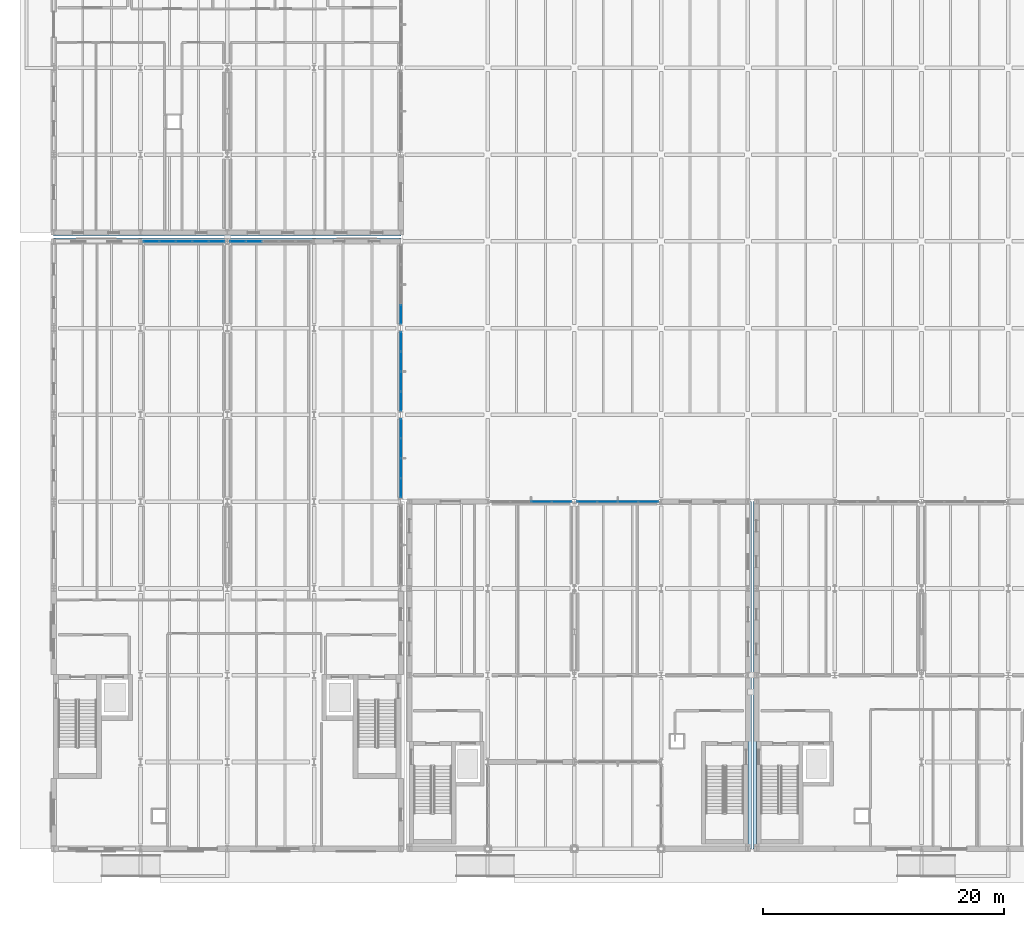
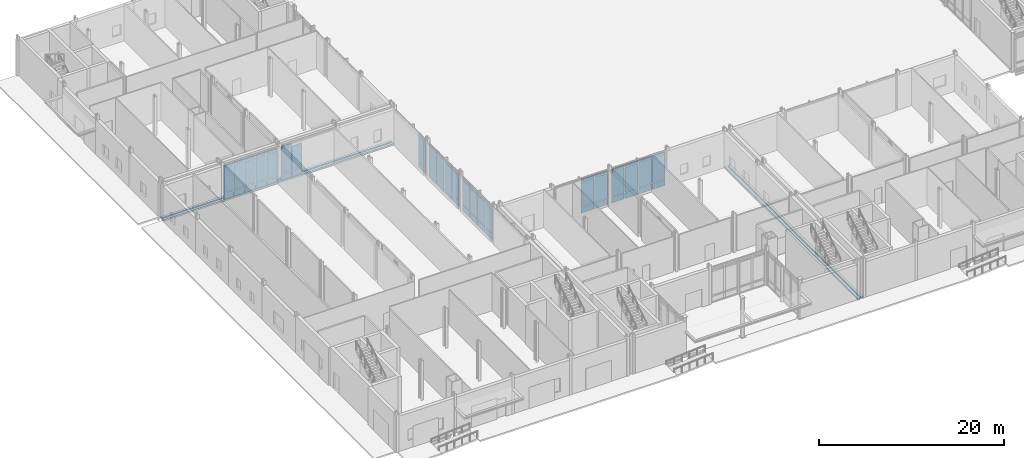
# One storey, part 41 of 89: 65 plates, 4 slabs, 7 elements without a shape of their own.
"""IFC4 building model written with IfcOpenShell, lengths in metres."""

from ifc_helpers import new_model, si_unit, direction, frame, origin, origin_2d, place, context, subcontext, project, spatial, polyline, rectangle, outline, extrude, material, layer, layer_set, type_object, element, aggregate, save


model = new_model("IFC4")

# Units and contexts
model_context = context("Model", 3, precision=1e-05, world=origin(), true_north=direction((0.0, 1.0)))
body_context = subcontext(model_context, "Body", "Model", "MODEL_VIEW")
ifc_project = project(units=[si_unit("LENGTHUNIT", "METRE"), si_unit("AREAUNIT", "SQUARE_METRE"), si_unit("VOLUMEUNIT", "CUBIC_METRE"), si_unit("PLANEANGLEUNIT", "RADIAN"), si_unit("MASSUNIT", "GRAM", prefix="KILO")], contexts=[model_context])

# Site, building, storey
site_placement = place(None, origin())
site = spatial("IfcSite", under=ifc_project, at=site_placement, CompositionType="ELEMENT")
building_placement = place(site_placement, origin())
building = spatial("IfcBuilding", under=site, at=building_placement, Name="Zarrinpeak Specialist Clinic", CompositionType="ELEMENT")
storey_placement = place(building_placement, origin())
storey = spatial("IfcBuildingStorey", under=building, at=storey_placement, Name="L00", CompositionType="ELEMENT", Elevation=0.0)

# Curtain wall, plates
ifc_material_1 = material(Name="Anodised Aluminium Alloy 6063-T6", Category="aluminium")
ifc_layer_1 = layer(ifc_material_1, 0.1650390625)
ifc_layer_set_1 = layer_set([ifc_layer_1], Name="Anodised Aluminium Alloy 6063-T6")
curtain_wall_type_1 = type_object("IfcCurtainWallType", Name="CW-CLINIC", PredefinedType="NOTDEFINED", material=ifc_layer_set_1)
curtain_wall_1_placement = place(storey_placement, origin())
curtain_wall_1 = element("IfcCurtainWall", 1, at=curtain_wall_1_placement, inside=storey, type_object=curtain_wall_type_1, Name="L00 V1 Unitised Curtain Wall CW-L00-V1-001", PredefinedType="NOTDEFINED")
ifc_material_2 = material(Name="Double Low-E Insulated Glazing", Category="glass")
ifc_layer_2 = layer(ifc_material_2, 0.028076171875)
ifc_layer_set_2 = layer_set([ifc_layer_2], Name="Double Low-E Insulated Glazing")
plate_type = type_object("IfcPlateType", Name="CWP-GLZ28", PredefinedType="CURTAIN_PANEL", material=ifc_layer_set_2)
plate_1_placement = place(storey_placement, frame((13.521240234375, 50.39990234375, 0.074951171875), z_axis=(0.0, 0.0, 1.0), x_axis=(-1.0, 0.0, 0.0)))
plate_1 = element("IfcPlate", 2, at=plate_1_placement, type_object=plate_type, Name="CW-03 panel 1.1", PredefinedType="CURTAIN_PANEL", context=body_context, shape_type="SweptSolid", body=[
    extrude(rectangle(XDim=1.257568359375, YDim=0.028076171875, at=origin_2d()), origin(), (0.0, 0.0, 1.0), 0.78759765625),
])
plate_2_placement = place(storey_placement, frame((13.521240234375, 50.39990234375, 0.9375), z_axis=(0.0, 0.0, 1.0), x_axis=(-1.0, 0.0, 0.0)))
plate_2 = element("IfcPlate", 3, at=plate_2_placement, type_object=plate_type, Name="CW-03 panel 1.2", PredefinedType="CURTAIN_PANEL", context=body_context, shape_type="SweptSolid", body=[
    extrude(rectangle(XDim=1.257568359375, YDim=0.028076171875, at=origin_2d()), origin(), (0.0, 0.0, 1.0), 3.239990234375),
])
plate_3_placement = place(storey_placement, frame((13.521240234375, 50.39990234375, 4.25244140625), z_axis=(0.0, 0.0, 1.0), x_axis=(-1.0, 0.0, 0.0)))
plate_3 = element("IfcPlate", 4, at=plate_3_placement, type_object=plate_type, Name="CW-03 panel 1.3", PredefinedType="CURTAIN_PANEL", context=body_context, shape_type="SweptSolid", body=[
    extrude(rectangle(XDim=1.257568359375, YDim=0.028076171875, at=origin_2d()), origin(), (0.0, 0.0, 1.0), 0.33740234375),
])
plate_4_placement = place(storey_placement, frame((12.169921875, 50.39990234375, 0.074951171875), z_axis=(0.0, 0.0, 1.0), x_axis=(-1.0, 0.0, 0.0)))
plate_4 = element("IfcPlate", 5, at=plate_4_placement, type_object=plate_type, Name="CW-03 panel 2.1", PredefinedType="CURTAIN_PANEL", context=body_context, shape_type="SweptSolid", body=[
    extrude(rectangle(XDim=1.294921875, YDim=0.028076171875, at=origin_2d()), origin(), (0.0, 0.0, 1.0), 0.78759765625),
])
plate_5_placement = place(storey_placement, frame((12.169921875, 50.39990234375, 0.9375), z_axis=(0.0, 0.0, 1.0), x_axis=(-1.0, 0.0, 0.0)))
plate_5 = element("IfcPlate", 6, at=plate_5_placement, type_object=plate_type, Name="CW-03 panel 2.2", PredefinedType="CURTAIN_PANEL", context=body_context, shape_type="SweptSolid", body=[
    extrude(rectangle(XDim=1.294921875, YDim=0.028076171875, at=origin_2d()), origin(), (0.0, 0.0, 1.0), 3.239990234375),
])
plate_6_placement = place(storey_placement, frame((12.169921875, 50.39990234375, 4.25244140625), z_axis=(0.0, 0.0, 1.0), x_axis=(-1.0, 0.0, 0.0)))
plate_6 = element("IfcPlate", 7, at=plate_6_placement, type_object=plate_type, Name="CW-03 panel 2.3", PredefinedType="CURTAIN_PANEL", context=body_context, shape_type="SweptSolid", body=[
    extrude(rectangle(XDim=1.294921875, YDim=0.028076171875, at=origin_2d()), origin(), (0.0, 0.0, 1.0), 0.33740234375),
])
plate_7_placement = place(storey_placement, frame((10.800048828125, 50.39990234375, 0.074951171875), z_axis=(0.0, 0.0, 1.0), x_axis=(-1.0, 0.0, 0.0)))
plate_7 = element("IfcPlate", 8, at=plate_7_placement, type_object=plate_type, Name="CW-03 panel 3.1", PredefinedType="CURTAIN_PANEL", context=body_context, shape_type="SweptSolid", body=[
    extrude(rectangle(XDim=1.294921875, YDim=0.028076171875, at=origin_2d()), origin(), (0.0, 0.0, 1.0), 0.78759765625),
])
plate_8_placement = place(storey_placement, frame((10.800048828125, 50.39990234375, 0.9375), z_axis=(0.0, 0.0, 1.0), x_axis=(-1.0, 0.0, 0.0)))
plate_8 = element("IfcPlate", 9, at=plate_8_placement, type_object=plate_type, Name="CW-03 panel 3.2", PredefinedType="CURTAIN_PANEL", context=body_context, shape_type="SweptSolid", body=[
    extrude(rectangle(XDim=1.294921875, YDim=0.028076171875, at=origin_2d()), origin(), (0.0, 0.0, 1.0), 3.239990234375),
])
plate_9_placement = place(storey_placement, frame((10.800048828125, 50.39990234375, 4.25244140625), z_axis=(0.0, 0.0, 1.0), x_axis=(-1.0, 0.0, 0.0)))
plate_9 = element("IfcPlate", 10, at=plate_9_placement, type_object=plate_type, Name="CW-03 panel 3.3", PredefinedType="CURTAIN_PANEL", context=body_context, shape_type="SweptSolid", body=[
    extrude(rectangle(XDim=1.294921875, YDim=0.028076171875, at=origin_2d()), origin(), (0.0, 0.0, 1.0), 0.33740234375),
])
plate_10_placement = place(storey_placement, frame((9.429931640625, 50.39990234375, 0.074951171875), z_axis=(0.0, 0.0, 1.0), x_axis=(-1.0, 0.0, 0.0)))
plate_10 = element("IfcPlate", 11, at=plate_10_placement, type_object=plate_type, Name="CW-03 panel 4.1", PredefinedType="CURTAIN_PANEL", context=body_context, shape_type="SweptSolid", body=[
    extrude(rectangle(XDim=1.294921875, YDim=0.028076171875, at=origin_2d()), origin(), (0.0, 0.0, 1.0), 0.78759765625),
])
plate_11_placement = place(storey_placement, frame((9.429931640625, 50.39990234375, 0.9375), z_axis=(0.0, 0.0, 1.0), x_axis=(-1.0, 0.0, 0.0)))
plate_11 = element("IfcPlate", 12, at=plate_11_placement, type_object=plate_type, Name="CW-03 panel 4.2", PredefinedType="CURTAIN_PANEL", context=body_context, shape_type="SweptSolid", body=[
    extrude(rectangle(XDim=1.294921875, YDim=0.028076171875, at=origin_2d()), origin(), (0.0, 0.0, 1.0), 3.239990234375),
])
plate_12_placement = place(storey_placement, frame((9.429931640625, 50.39990234375, 4.25244140625), z_axis=(0.0, 0.0, 1.0), x_axis=(-1.0, 0.0, 0.0)))
plate_12 = element("IfcPlate", 13, at=plate_12_placement, type_object=plate_type, Name="CW-03 panel 4.3", PredefinedType="CURTAIN_PANEL", context=body_context, shape_type="SweptSolid", body=[
    extrude(rectangle(XDim=1.294921875, YDim=0.028076171875, at=origin_2d()), origin(), (0.0, 0.0, 1.0), 0.33740234375),
])
plate_13_placement = place(storey_placement, frame((8.078857421875, 50.39990234375, 0.074951171875), z_axis=(0.0, 0.0, 1.0), x_axis=(-1.0, 0.0, 0.0)))
plate_13 = element("IfcPlate", 14, at=plate_13_placement, type_object=plate_type, Name="CW-03 panel 5.1", PredefinedType="CURTAIN_PANEL", context=body_context, shape_type="SweptSolid", body=[
    extrude(rectangle(XDim=1.257568359375, YDim=0.028076171875, at=origin_2d()), origin(), (0.0, 0.0, 1.0), 0.78759765625),
])
plate_14_placement = place(storey_placement, frame((8.078857421875, 50.39990234375, 0.9375), z_axis=(0.0, 0.0, 1.0), x_axis=(-1.0, 0.0, 0.0)))
plate_14 = element("IfcPlate", 15, at=plate_14_placement, type_object=plate_type, Name="CW-03 panel 5.2", PredefinedType="CURTAIN_PANEL", context=body_context, shape_type="SweptSolid", body=[
    extrude(rectangle(XDim=1.257568359375, YDim=0.028076171875, at=origin_2d()), origin(), (0.0, 0.0, 1.0), 3.239990234375),
])
plate_15_placement = place(storey_placement, frame((8.078857421875, 50.39990234375, 4.25244140625), z_axis=(0.0, 0.0, 1.0), x_axis=(-1.0, 0.0, 0.0)))
plate_15 = element("IfcPlate", 16, at=plate_15_placement, type_object=plate_type, Name="CW-03 panel 5.3", PredefinedType="CURTAIN_PANEL", context=body_context, shape_type="SweptSolid", body=[
    extrude(rectangle(XDim=1.257568359375, YDim=0.028076171875, at=origin_2d()), origin(), (0.0, 0.0, 1.0), 0.33740234375),
])
aggregate(curtain_wall_1, [plate_1, plate_2, plate_3, plate_4, plate_5, plate_6, plate_7, plate_8, plate_9, plate_10, plate_11, plate_12, plate_13, plate_14, plate_15])

curtain_wall_2_placement = place(storey_placement, origin())
curtain_wall_2 = element("IfcCurtainWall", 17, at=curtain_wall_2_placement, inside=storey, type_object=curtain_wall_type_1, Name="L00 V1 Unitised Curtain Wall CW-L00-V1-002", PredefinedType="NOTDEFINED")
plate_16_placement = place(storey_placement, frame((16.6298828125, 50.39990234375, 0.074951171875), z_axis=(0.0, 0.0, 1.0), x_axis=(-1.0, 0.0, 0.0)))
plate_16 = element("IfcPlate", 18, at=plate_16_placement, type_object=plate_type, Name="CW-03 panel 4.1", PredefinedType="CURTAIN_PANEL", context=body_context, shape_type="SweptSolid", body=[
    extrude(rectangle(XDim=1.294921875, YDim=0.028076171875, at=origin_2d()), origin(), (0.0, 0.0, 1.0), 0.78759765625),
])
plate_17_placement = place(storey_placement, frame((16.6298828125, 50.39990234375, 0.9375), z_axis=(0.0, 0.0, 1.0), x_axis=(-1.0, 0.0, 0.0)))
plate_17 = element("IfcPlate", 19, at=plate_17_placement, type_object=plate_type, Name="CW-03 panel 4.2", PredefinedType="CURTAIN_PANEL", context=body_context, shape_type="SweptSolid", body=[
    extrude(rectangle(XDim=1.294921875, YDim=0.028076171875, at=origin_2d()), origin(), (0.0, 0.0, 1.0), 3.239990234375),
])
plate_18_placement = place(storey_placement, frame((15.27880859375, 50.39990234375, 0.074951171875), z_axis=(0.0, 0.0, 1.0), x_axis=(-1.0, 0.0, 0.0)))
plate_18 = element("IfcPlate", 20, at=plate_18_placement, type_object=plate_type, Name="CW-03 panel 5.1", PredefinedType="CURTAIN_PANEL", context=body_context, shape_type="SweptSolid", body=[
    extrude(rectangle(XDim=1.257568359375, YDim=0.028076171875, at=origin_2d()), origin(), (0.0, 0.0, 1.0), 0.78759765625),
])
plate_19_placement = place(storey_placement, frame((15.27880859375, 50.39990234375, 0.9375), z_axis=(0.0, 0.0, 1.0), x_axis=(-1.0, 0.0, 0.0)))
plate_19 = element("IfcPlate", 21, at=plate_19_placement, type_object=plate_type, Name="CW-03 panel 5.2", PredefinedType="CURTAIN_PANEL", context=body_context, shape_type="SweptSolid", body=[
    extrude(rectangle(XDim=1.257568359375, YDim=0.028076171875, at=origin_2d()), origin(), (0.0, 0.0, 1.0), 3.239990234375),
])
plate_20_placement = place(storey_placement, frame((15.27880859375, 50.39990234375, 4.25244140625), z_axis=(0.0, 0.0, 1.0), x_axis=(-1.0, 0.0, 0.0)))
plate_20 = element("IfcPlate", 22, at=plate_20_placement, type_object=plate_type, Name="CW-03 panel 5.3", PredefinedType="CURTAIN_PANEL", context=body_context, shape_type="SweptSolid", body=[
    extrude(rectangle(XDim=1.257568359375, YDim=0.028076171875, at=origin_2d()), origin(), (0.0, 0.0, 1.0), 0.33740234375),
])
aggregate(curtain_wall_2, [plate_16, plate_17, plate_18, plate_19, plate_20])

ifc_layer_3 = layer(ifc_material_1, 0.179931640625)
ifc_layer_set_3 = layer_set([ifc_layer_3], Name="Anodised Aluminium Alloy 6063-T6")
curtain_wall_type_2 = type_object("IfcCurtainWallType", Name="CW-COURT", PredefinedType="NOTDEFINED", material=ifc_layer_set_3)
curtain_wall_3_placement = place(storey_placement, origin())
curtain_wall_3 = element("IfcCurtainWall", 23, at=curtain_wall_3_placement, inside=storey, type_object=curtain_wall_type_2, Name="L00 V1 Unitised Curtain Wall CW-L00-V1-004", PredefinedType="NOTDEFINED")
plate_21_placement = place(storey_placement, frame((28.800048828125, 29.925048828125, 0.074951171875), z_axis=(0.0, 0.0, 1.0), x_axis=(0.0, 1.0, 0.0)))
plate_21 = element("IfcPlate", 24, at=plate_21_placement, type_object=plate_type, Name="CW-01 panel 1.1", PredefinedType="CURTAIN_PANEL", context=body_context, shape_type="SweptSolid", body=[
    extrude(rectangle(XDim=1.550048828125, YDim=0.028076171875, at=origin_2d()), origin(), (0.0, 0.0, 1.0), 0.78759765625),
])
plate_22_placement = place(storey_placement, frame((28.800048828125, 29.925048828125, 0.9375), z_axis=(0.0, 0.0, 1.0), x_axis=(0.0, 1.0, 0.0)))
plate_22 = element("IfcPlate", 25, at=plate_22_placement, type_object=plate_type, Name="CW-01 panel 1.2", PredefinedType="CURTAIN_PANEL", context=body_context, shape_type="SweptSolid", body=[
    extrude(rectangle(XDim=1.550048828125, YDim=0.028076171875, at=origin_2d()), origin(), (0.0, 0.0, 1.0), 3.169921875),
])
plate_23_placement = place(storey_placement, frame((28.800048828125, 29.925048828125, 4.1826171875), z_axis=(0.0, 0.0, 1.0), x_axis=(0.0, 1.0, 0.0)))
plate_23 = element("IfcPlate", 26, at=plate_23_placement, type_object=plate_type, Name="CW-01 panel 1.3", PredefinedType="CURTAIN_PANEL", context=body_context, shape_type="SweptSolid", body=[
    extrude(rectangle(XDim=1.550048828125, YDim=0.028076171875, at=origin_2d()), origin(), (0.0, 0.0, 1.0), 0.33740234375),
])
plate_24_placement = place(storey_placement, frame((28.800048828125, 31.56884765625, 0.074951171875), z_axis=(0.0, 0.0, 1.0), x_axis=(0.0, 1.0, 0.0)))
plate_24 = element("IfcPlate", 27, at=plate_24_placement, type_object=plate_type, Name="CW-01 panel 2.1", PredefinedType="CURTAIN_PANEL", context=body_context, shape_type="SweptSolid", body=[
    extrude(rectangle(XDim=1.58740234375, YDim=0.028076171875, at=origin_2d()), origin(), (0.0, 0.0, 1.0), 0.78759765625),
])
plate_25_placement = place(storey_placement, frame((28.800048828125, 31.56884765625, 0.9375), z_axis=(0.0, 0.0, 1.0), x_axis=(0.0, 1.0, 0.0)))
plate_25 = element("IfcPlate", 28, at=plate_25_placement, type_object=plate_type, Name="CW-01 panel 2.2", PredefinedType="CURTAIN_PANEL", context=body_context, shape_type="SweptSolid", body=[
    extrude(rectangle(XDim=1.58740234375, YDim=0.028076171875, at=origin_2d()), origin(), (0.0, 0.0, 1.0), 3.169921875),
])
plate_26_placement = place(storey_placement, frame((28.800048828125, 31.56884765625, 4.1826171875), z_axis=(0.0, 0.0, 1.0), x_axis=(0.0, 1.0, 0.0)))
plate_26 = element("IfcPlate", 29, at=plate_26_placement, type_object=plate_type, Name="CW-01 panel 2.3", PredefinedType="CURTAIN_PANEL", context=body_context, shape_type="SweptSolid", body=[
    extrude(rectangle(XDim=1.58740234375, YDim=0.028076171875, at=origin_2d()), origin(), (0.0, 0.0, 1.0), 0.33740234375),
])
plate_27_placement = place(storey_placement, frame((28.800048828125, 33.231201171875, 0.074951171875), z_axis=(0.0, 0.0, 1.0), x_axis=(0.0, 1.0, 0.0)))
plate_27 = element("IfcPlate", 30, at=plate_27_placement, type_object=plate_type, Name="CW-01 panel 3.1", PredefinedType="CURTAIN_PANEL", context=body_context, shape_type="SweptSolid", body=[
    extrude(rectangle(XDim=1.58740234375, YDim=0.028076171875, at=origin_2d()), origin(), (0.0, 0.0, 1.0), 0.78759765625),
])
plate_28_placement = place(storey_placement, frame((28.800048828125, 33.231201171875, 0.9375), z_axis=(0.0, 0.0, 1.0), x_axis=(0.0, 1.0, 0.0)))
plate_28 = element("IfcPlate", 31, at=plate_28_placement, type_object=plate_type, Name="CW-01 panel 3.2", PredefinedType="CURTAIN_PANEL", context=body_context, shape_type="SweptSolid", body=[
    extrude(rectangle(XDim=1.58740234375, YDim=0.028076171875, at=origin_2d()), origin(), (0.0, 0.0, 1.0), 3.169921875),
])
plate_29_placement = place(storey_placement, frame((28.800048828125, 33.231201171875, 4.1826171875), z_axis=(0.0, 0.0, 1.0), x_axis=(0.0, 1.0, 0.0)))
plate_29 = element("IfcPlate", 32, at=plate_29_placement, type_object=plate_type, Name="CW-01 panel 3.3", PredefinedType="CURTAIN_PANEL", context=body_context, shape_type="SweptSolid", body=[
    extrude(rectangle(XDim=1.58740234375, YDim=0.028076171875, at=origin_2d()), origin(), (0.0, 0.0, 1.0), 0.33740234375),
])
plate_30_placement = place(storey_placement, frame((28.800048828125, 34.875, 0.074951171875), z_axis=(0.0, 0.0, 1.0), x_axis=(0.0, 1.0, 0.0)))
plate_30 = element("IfcPlate", 33, at=plate_30_placement, type_object=plate_type, Name="CW-01 panel 4.1", PredefinedType="CURTAIN_PANEL", context=body_context, shape_type="SweptSolid", body=[
    extrude(rectangle(XDim=1.550048828125, YDim=0.028076171875, at=origin_2d()), origin(), (0.0, 0.0, 1.0), 0.78759765625),
])
plate_31_placement = place(storey_placement, frame((28.800048828125, 34.875, 0.9375), z_axis=(0.0, 0.0, 1.0), x_axis=(0.0, 1.0, 0.0)))
plate_31 = element("IfcPlate", 34, at=plate_31_placement, type_object=plate_type, Name="CW-01 panel 4.2", PredefinedType="CURTAIN_PANEL", context=body_context, shape_type="SweptSolid", body=[
    extrude(rectangle(XDim=1.550048828125, YDim=0.028076171875, at=origin_2d()), origin(), (0.0, 0.0, 1.0), 3.169921875),
])
plate_32_placement = place(storey_placement, frame((28.800048828125, 34.875, 4.1826171875), z_axis=(0.0, 0.0, 1.0), x_axis=(0.0, 1.0, 0.0)))
plate_32 = element("IfcPlate", 35, at=plate_32_placement, type_object=plate_type, Name="CW-01 panel 4.3", PredefinedType="CURTAIN_PANEL", context=body_context, shape_type="SweptSolid", body=[
    extrude(rectangle(XDim=1.550048828125, YDim=0.028076171875, at=origin_2d()), origin(), (0.0, 0.0, 1.0), 0.33740234375),
])
aggregate(curtain_wall_3, [plate_21, plate_22, plate_23, plate_24, plate_25, plate_26, plate_27, plate_28, plate_29, plate_30, plate_31, plate_32])

curtain_wall_4_placement = place(storey_placement, origin())
curtain_wall_4 = element("IfcCurtainWall", 36, at=curtain_wall_4_placement, inside=storey, type_object=curtain_wall_type_2, Name="L00 V1 Unitised Curtain Wall CW-L00-V1-005", PredefinedType="NOTDEFINED")
plate_33_placement = place(storey_placement, frame((28.800048828125, 37.125, 0.074951171875), z_axis=(0.0, 0.0, 1.0), x_axis=(0.0, 1.0, 0.0)))
plate_33 = element("IfcPlate", 37, at=plate_33_placement, type_object=plate_type, Name="CW-01 panel 1.1", PredefinedType="CURTAIN_PANEL", context=body_context, shape_type="SweptSolid", body=[
    extrude(rectangle(XDim=1.550048828125, YDim=0.028076171875, at=origin_2d()), origin(), (0.0, 0.0, 1.0), 0.78759765625),
])
plate_34_placement = place(storey_placement, frame((28.800048828125, 37.125, 0.9375), z_axis=(0.0, 0.0, 1.0), x_axis=(0.0, 1.0, 0.0)))
plate_34 = element("IfcPlate", 38, at=plate_34_placement, type_object=plate_type, Name="CW-01 panel 1.2", PredefinedType="CURTAIN_PANEL", context=body_context, shape_type="SweptSolid", body=[
    extrude(rectangle(XDim=1.550048828125, YDim=0.028076171875, at=origin_2d()), origin(), (0.0, 0.0, 1.0), 3.169921875),
])
plate_35_placement = place(storey_placement, frame((28.800048828125, 37.125, 4.1826171875), z_axis=(0.0, 0.0, 1.0), x_axis=(0.0, 1.0, 0.0)))
plate_35 = element("IfcPlate", 39, at=plate_35_placement, type_object=plate_type, Name="CW-01 panel 1.3", PredefinedType="CURTAIN_PANEL", context=body_context, shape_type="SweptSolid", body=[
    extrude(rectangle(XDim=1.550048828125, YDim=0.028076171875, at=origin_2d()), origin(), (0.0, 0.0, 1.0), 0.33740234375),
])
plate_36_placement = place(storey_placement, frame((28.800048828125, 38.768798828125, 0.074951171875), z_axis=(0.0, 0.0, 1.0), x_axis=(0.0, 1.0, 0.0)))
plate_36 = element("IfcPlate", 40, at=plate_36_placement, type_object=plate_type, Name="CW-01 panel 2.1", PredefinedType="CURTAIN_PANEL", context=body_context, shape_type="SweptSolid", body=[
    extrude(rectangle(XDim=1.58740234375, YDim=0.028076171875, at=origin_2d()), origin(), (0.0, 0.0, 1.0), 0.78759765625),
])
plate_37_placement = place(storey_placement, frame((28.800048828125, 38.768798828125, 0.9375), z_axis=(0.0, 0.0, 1.0), x_axis=(0.0, 1.0, 0.0)))
plate_37 = element("IfcPlate", 41, at=plate_37_placement, type_object=plate_type, Name="CW-01 panel 2.2", PredefinedType="CURTAIN_PANEL", context=body_context, shape_type="SweptSolid", body=[
    extrude(rectangle(XDim=1.58740234375, YDim=0.028076171875, at=origin_2d()), origin(), (0.0, 0.0, 1.0), 3.169921875),
])
plate_38_placement = place(storey_placement, frame((28.800048828125, 38.768798828125, 4.1826171875), z_axis=(0.0, 0.0, 1.0), x_axis=(0.0, 1.0, 0.0)))
plate_38 = element("IfcPlate", 42, at=plate_38_placement, type_object=plate_type, Name="CW-01 panel 2.3", PredefinedType="CURTAIN_PANEL", context=body_context, shape_type="SweptSolid", body=[
    extrude(rectangle(XDim=1.58740234375, YDim=0.028076171875, at=origin_2d()), origin(), (0.0, 0.0, 1.0), 0.33740234375),
])
plate_39_placement = place(storey_placement, frame((28.800048828125, 40.43115234375, 0.074951171875), z_axis=(0.0, 0.0, 1.0), x_axis=(0.0, 1.0, 0.0)))
plate_39 = element("IfcPlate", 43, at=plate_39_placement, type_object=plate_type, Name="CW-01 panel 3.1", PredefinedType="CURTAIN_PANEL", context=body_context, shape_type="SweptSolid", body=[
    extrude(rectangle(XDim=1.58740234375, YDim=0.028076171875, at=origin_2d()), origin(), (0.0, 0.0, 1.0), 0.78759765625),
])
plate_40_placement = place(storey_placement, frame((28.800048828125, 40.43115234375, 0.9375), z_axis=(0.0, 0.0, 1.0), x_axis=(0.0, 1.0, 0.0)))
plate_40 = element("IfcPlate", 44, at=plate_40_placement, type_object=plate_type, Name="CW-01 panel 3.2", PredefinedType="CURTAIN_PANEL", context=body_context, shape_type="SweptSolid", body=[
    extrude(rectangle(XDim=1.58740234375, YDim=0.028076171875, at=origin_2d()), origin(), (0.0, 0.0, 1.0), 3.169921875),
])
plate_41_placement = place(storey_placement, frame((28.800048828125, 40.43115234375, 4.1826171875), z_axis=(0.0, 0.0, 1.0), x_axis=(0.0, 1.0, 0.0)))
plate_41 = element("IfcPlate", 45, at=plate_41_placement, type_object=plate_type, Name="CW-01 panel 3.3", PredefinedType="CURTAIN_PANEL", context=body_context, shape_type="SweptSolid", body=[
    extrude(rectangle(XDim=1.58740234375, YDim=0.028076171875, at=origin_2d()), origin(), (0.0, 0.0, 1.0), 0.33740234375),
])
plate_42_placement = place(storey_placement, frame((28.800048828125, 42.074951171875, 0.074951171875), z_axis=(0.0, 0.0, 1.0), x_axis=(0.0, 1.0, 0.0)))
plate_42 = element("IfcPlate", 46, at=plate_42_placement, type_object=plate_type, Name="CW-01 panel 4.1", PredefinedType="CURTAIN_PANEL", context=body_context, shape_type="SweptSolid", body=[
    extrude(rectangle(XDim=1.550048828125, YDim=0.028076171875, at=origin_2d()), origin(), (0.0, 0.0, 1.0), 0.78759765625),
])
plate_43_placement = place(storey_placement, frame((28.800048828125, 42.074951171875, 0.9375), z_axis=(0.0, 0.0, 1.0), x_axis=(0.0, 1.0, 0.0)))
plate_43 = element("IfcPlate", 47, at=plate_43_placement, type_object=plate_type, Name="CW-01 panel 4.2", PredefinedType="CURTAIN_PANEL", context=body_context, shape_type="SweptSolid", body=[
    extrude(rectangle(XDim=1.550048828125, YDim=0.028076171875, at=origin_2d()), origin(), (0.0, 0.0, 1.0), 3.169921875),
])
plate_44_placement = place(storey_placement, frame((28.800048828125, 42.074951171875, 4.1826171875), z_axis=(0.0, 0.0, 1.0), x_axis=(0.0, 1.0, 0.0)))
plate_44 = element("IfcPlate", 48, at=plate_44_placement, type_object=plate_type, Name="CW-01 panel 4.3", PredefinedType="CURTAIN_PANEL", context=body_context, shape_type="SweptSolid", body=[
    extrude(rectangle(XDim=1.550048828125, YDim=0.028076171875, at=origin_2d()), origin(), (0.0, 0.0, 1.0), 0.33740234375),
])
aggregate(curtain_wall_4, [plate_33, plate_34, plate_35, plate_36, plate_37, plate_38, plate_39, plate_40, plate_41, plate_42, plate_43, plate_44])

curtain_wall_5_placement = place(storey_placement, origin())
curtain_wall_5 = element("IfcCurtainWall", 49, at=curtain_wall_5_placement, inside=storey, type_object=curtain_wall_type_2, Name="L00 V1 Unitised Curtain Wall CW-L00-V1-006", PredefinedType="NOTDEFINED")
plate_45_placement = place(storey_placement, frame((28.800048828125, 44.328125, 0.074951171875), z_axis=(0.0, 0.0, 1.0), x_axis=(0.0, 1.0, 0.0)))
plate_45 = element("IfcPlate", 50, at=plate_45_placement, type_object=plate_type, Name="CW-01 panel 1.1", PredefinedType="CURTAIN_PANEL", context=body_context, shape_type="SweptSolid", body=[
    extrude(rectangle(XDim=1.55615234375, YDim=0.028076171875, at=origin_2d()), origin(), (0.0, 0.0, 1.0), 0.78759765625),
])
plate_46_placement = place(storey_placement, frame((28.800048828125, 44.328125, 0.9375), z_axis=(0.0, 0.0, 1.0), x_axis=(0.0, 1.0, 0.0)))
plate_46 = element("IfcPlate", 51, at=plate_46_placement, type_object=plate_type, Name="CW-01 panel 1.2", PredefinedType="CURTAIN_PANEL", context=body_context, shape_type="SweptSolid", body=[
    extrude(rectangle(XDim=1.55615234375, YDim=0.028076171875, at=origin_2d()), origin(), (0.0, 0.0, 1.0), 3.169921875),
])
plate_47_placement = place(storey_placement, frame((28.800048828125, 44.328125, 4.1826171875), z_axis=(0.0, 0.0, 1.0), x_axis=(0.0, 1.0, 0.0)))
plate_47 = element("IfcPlate", 52, at=plate_47_placement, type_object=plate_type, Name="CW-01 panel 1.3", PredefinedType="CURTAIN_PANEL", context=body_context, shape_type="SweptSolid", body=[
    extrude(rectangle(XDim=1.55615234375, YDim=0.028076171875, at=origin_2d()), origin(), (0.0, 0.0, 1.0), 0.33740234375),
])
aggregate(curtain_wall_5, [plate_45, plate_46, plate_47])

curtain_wall_6_placement = place(storey_placement, origin())
curtain_wall_6 = element("IfcCurtainWall", 53, at=curtain_wall_6_placement, inside=storey, type_object=curtain_wall_type_2, Name="L00 V2 Unitised Curtain Wall CW-L00-V2-043", PredefinedType="NOTDEFINED")
plate_48_placement = place(storey_placement, frame((42.14990234375, 28.800048828125, 0.074951171875), z_axis=(0.0, 0.0, 1.0), x_axis=(-1.0, 0.0, 0.0)))
plate_48 = element("IfcPlate", 54, at=plate_48_placement, type_object=plate_type, Name="CW-01 panel 1.1", PredefinedType="CURTAIN_PANEL", context=body_context, shape_type="SweptSolid", body=[
    extrude(rectangle(XDim=1.60009765625, YDim=0.028076171875, at=origin_2d()), origin(), (0.0, 0.0, 1.0), 0.78759765625),
])
plate_49_placement = place(storey_placement, frame((42.14990234375, 28.800048828125, 0.9375), z_axis=(0.0, 0.0, 1.0), x_axis=(-1.0, 0.0, 0.0)))
plate_49 = element("IfcPlate", 55, at=plate_49_placement, type_object=plate_type, Name="CW-01 panel 1.2", PredefinedType="CURTAIN_PANEL", context=body_context, shape_type="SweptSolid", body=[
    extrude(rectangle(XDim=1.60009765625, YDim=0.028076171875, at=origin_2d()), origin(), (0.0, 0.0, 1.0), 3.239990234375),
])
plate_50_placement = place(storey_placement, frame((42.14990234375, 28.800048828125, 4.25244140625), z_axis=(0.0, 0.0, 1.0), x_axis=(-1.0, 0.0, 0.0)))
plate_50 = element("IfcPlate", 56, at=plate_50_placement, type_object=plate_type, Name="CW-01 panel 1.3", PredefinedType="CURTAIN_PANEL", context=body_context, shape_type="SweptSolid", body=[
    extrude(rectangle(XDim=1.60009765625, YDim=0.028076171875, at=origin_2d()), origin(), (0.0, 0.0, 1.0), 0.33740234375),
])
plate_51_placement = place(storey_placement, frame((40.456298828125, 28.800048828125, 0.074951171875), z_axis=(0.0, 0.0, 1.0), x_axis=(-1.0, 0.0, 0.0)))
plate_51 = element("IfcPlate", 57, at=plate_51_placement, type_object=plate_type, Name="CW-01 panel 2.1", PredefinedType="CURTAIN_PANEL", context=body_context, shape_type="SweptSolid", body=[
    extrude(rectangle(XDim=1.637451171875, YDim=0.028076171875, at=origin_2d()), origin(), (0.0, 0.0, 1.0), 0.78759765625),
])
plate_52_placement = place(storey_placement, frame((40.456298828125, 28.800048828125, 0.9375), z_axis=(0.0, 0.0, 1.0), x_axis=(-1.0, 0.0, 0.0)))
plate_52 = element("IfcPlate", 58, at=plate_52_placement, type_object=plate_type, Name="CW-01 panel 2.2", PredefinedType="CURTAIN_PANEL", context=body_context, shape_type="SweptSolid", body=[
    extrude(rectangle(XDim=1.637451171875, YDim=0.028076171875, at=origin_2d()), origin(), (0.0, 0.0, 1.0), 3.239990234375),
])
plate_53_placement = place(storey_placement, frame((40.456298828125, 28.800048828125, 4.25244140625), z_axis=(0.0, 0.0, 1.0), x_axis=(-1.0, 0.0, 0.0)))
plate_53 = element("IfcPlate", 59, at=plate_53_placement, type_object=plate_type, Name="CW-01 panel 2.3", PredefinedType="CURTAIN_PANEL", context=body_context, shape_type="SweptSolid", body=[
    extrude(rectangle(XDim=1.637451171875, YDim=0.028076171875, at=origin_2d()), origin(), (0.0, 0.0, 1.0), 0.33740234375),
])
aggregate(curtain_wall_6, [plate_48, plate_49, plate_50, plate_51, plate_52, plate_53])

curtain_wall_7_placement = place(storey_placement, origin())
curtain_wall_7 = element("IfcCurtainWall", 60, at=curtain_wall_7_placement, inside=storey, type_object=curtain_wall_type_2, Name="L00 V2 Unitised Curtain Wall CW-L00-V2-044", PredefinedType="NOTDEFINED")
plate_54_placement = place(storey_placement, frame((49.35009765625, 28.800048828125, 0.074951171875), z_axis=(0.0, 0.0, 1.0), x_axis=(-1.0, 0.0, 0.0)))
plate_54 = element("IfcPlate", 61, at=plate_54_placement, type_object=plate_type, Name="CW-01 panel 1.1", PredefinedType="CURTAIN_PANEL", context=body_context, shape_type="SweptSolid", body=[
    extrude(rectangle(XDim=1.60009765625, YDim=0.028076171875, at=origin_2d()), origin(), (0.0, 0.0, 1.0), 0.78759765625),
])
plate_55_placement = place(storey_placement, frame((49.35009765625, 28.800048828125, 0.9375), z_axis=(0.0, 0.0, 1.0), x_axis=(-1.0, 0.0, 0.0)))
plate_55 = element("IfcPlate", 62, at=plate_55_placement, type_object=plate_type, Name="CW-01 panel 1.2", PredefinedType="CURTAIN_PANEL", context=body_context, shape_type="SweptSolid", body=[
    extrude(rectangle(XDim=1.60009765625, YDim=0.028076171875, at=origin_2d()), origin(), (0.0, 0.0, 1.0), 3.239990234375),
])
plate_56_placement = place(storey_placement, frame((49.35009765625, 28.800048828125, 4.25244140625), z_axis=(0.0, 0.0, 1.0), x_axis=(-1.0, 0.0, 0.0)))
plate_56 = element("IfcPlate", 63, at=plate_56_placement, type_object=plate_type, Name="CW-01 panel 1.3", PredefinedType="CURTAIN_PANEL", context=body_context, shape_type="SweptSolid", body=[
    extrude(rectangle(XDim=1.60009765625, YDim=0.028076171875, at=origin_2d()), origin(), (0.0, 0.0, 1.0), 0.33740234375),
])
plate_57_placement = place(storey_placement, frame((47.65625, 28.800048828125, 0.074951171875), z_axis=(0.0, 0.0, 1.0), x_axis=(-1.0, 0.0, 0.0)))
plate_57 = element("IfcPlate", 64, at=plate_57_placement, type_object=plate_type, Name="CW-01 panel 2.1", PredefinedType="CURTAIN_PANEL", context=body_context, shape_type="SweptSolid", body=[
    extrude(rectangle(XDim=1.637451171875, YDim=0.028076171875, at=origin_2d()), origin(), (0.0, 0.0, 1.0), 0.78759765625),
])
plate_58_placement = place(storey_placement, frame((47.65625, 28.800048828125, 0.9375), z_axis=(0.0, 0.0, 1.0), x_axis=(-1.0, 0.0, 0.0)))
plate_58 = element("IfcPlate", 65, at=plate_58_placement, type_object=plate_type, Name="CW-01 panel 2.2", PredefinedType="CURTAIN_PANEL", context=body_context, shape_type="SweptSolid", body=[
    extrude(rectangle(XDim=1.637451171875, YDim=0.028076171875, at=origin_2d()), origin(), (0.0, 0.0, 1.0), 3.239990234375),
])
plate_59_placement = place(storey_placement, frame((47.65625, 28.800048828125, 4.25244140625), z_axis=(0.0, 0.0, 1.0), x_axis=(-1.0, 0.0, 0.0)))
plate_59 = element("IfcPlate", 66, at=plate_59_placement, type_object=plate_type, Name="CW-01 panel 2.3", PredefinedType="CURTAIN_PANEL", context=body_context, shape_type="SweptSolid", body=[
    extrude(rectangle(XDim=1.637451171875, YDim=0.028076171875, at=origin_2d()), origin(), (0.0, 0.0, 1.0), 0.33740234375),
])
plate_60_placement = place(storey_placement, frame((45.94384765625, 28.800048828125, 0.074951171875), z_axis=(0.0, 0.0, 1.0), x_axis=(-1.0, 0.0, 0.0)))
plate_60 = element("IfcPlate", 67, at=plate_60_placement, type_object=plate_type, Name="CW-01 panel 3.1", PredefinedType="CURTAIN_PANEL", context=body_context, shape_type="SweptSolid", body=[
    extrude(rectangle(XDim=1.637451171875, YDim=0.028076171875, at=origin_2d()), origin(), (0.0, 0.0, 1.0), 0.78759765625),
])
plate_61_placement = place(storey_placement, frame((45.94384765625, 28.800048828125, 0.9375), z_axis=(0.0, 0.0, 1.0), x_axis=(-1.0, 0.0, 0.0)))
plate_61 = element("IfcPlate", 68, at=plate_61_placement, type_object=plate_type, Name="CW-01 panel 3.2", PredefinedType="CURTAIN_PANEL", context=body_context, shape_type="SweptSolid", body=[
    extrude(rectangle(XDim=1.637451171875, YDim=0.028076171875, at=origin_2d()), origin(), (0.0, 0.0, 1.0), 3.239990234375),
])
plate_62_placement = place(storey_placement, frame((45.94384765625, 28.800048828125, 4.25244140625), z_axis=(0.0, 0.0, 1.0), x_axis=(-1.0, 0.0, 0.0)))
plate_62 = element("IfcPlate", 69, at=plate_62_placement, type_object=plate_type, Name="CW-01 panel 3.3", PredefinedType="CURTAIN_PANEL", context=body_context, shape_type="SweptSolid", body=[
    extrude(rectangle(XDim=1.637451171875, YDim=0.028076171875, at=origin_2d()), origin(), (0.0, 0.0, 1.0), 0.33740234375),
])
plate_63_placement = place(storey_placement, frame((44.25, 28.800048828125, 0.074951171875), z_axis=(0.0, 0.0, 1.0), x_axis=(-1.0, 0.0, 0.0)))
plate_63 = element("IfcPlate", 70, at=plate_63_placement, type_object=plate_type, Name="CW-01 panel 4.1", PredefinedType="CURTAIN_PANEL", context=body_context, shape_type="SweptSolid", body=[
    extrude(rectangle(XDim=1.60009765625, YDim=0.028076171875, at=origin_2d()), origin(), (0.0, 0.0, 1.0), 0.78759765625),
])
plate_64_placement = place(storey_placement, frame((44.25, 28.800048828125, 0.9375), z_axis=(0.0, 0.0, 1.0), x_axis=(-1.0, 0.0, 0.0)))
plate_64 = element("IfcPlate", 71, at=plate_64_placement, type_object=plate_type, Name="CW-01 panel 4.2", PredefinedType="CURTAIN_PANEL", context=body_context, shape_type="SweptSolid", body=[
    extrude(rectangle(XDim=1.60009765625, YDim=0.028076171875, at=origin_2d()), origin(), (0.0, 0.0, 1.0), 3.239990234375),
])
plate_65_placement = place(storey_placement, frame((44.25, 28.800048828125, 4.25244140625), z_axis=(0.0, 0.0, 1.0), x_axis=(-1.0, 0.0, 0.0)))
plate_65 = element("IfcPlate", 72, at=plate_65_placement, type_object=plate_type, Name="CW-01 panel 4.3", PredefinedType="CURTAIN_PANEL", context=body_context, shape_type="SweptSolid", body=[
    extrude(rectangle(XDim=1.60009765625, YDim=0.028076171875, at=origin_2d()), origin(), (0.0, 0.0, 1.0), 0.33740234375),
])
aggregate(curtain_wall_7, [plate_54, plate_55, plate_56, plate_57, plate_58, plate_59, plate_60, plate_61, plate_62, plate_63, plate_64, plate_65])

# Slabs
ifc_material_3 = material(Name="Concrete C35/45", Category="concrete")
ifc_layer_4 = layer(ifc_material_3, 0.219970703125)
ifc_layer_set_4 = layer_set([ifc_layer_4], Name="Concrete C35/45")
slab_type = type_object("IfcSlabType", Name="SL-TER220", PredefinedType="FLOOR", material=ifc_layer_set_4)
slab_1_placement = place(storey_placement, frame((0.0, 0.0, -0.219970703125)))
element("IfcSlab", 73, at=slab_1_placement, inside=storey, type_object=slab_type, Name="L00 Seismic Joint Promenade Deck Slab B01-SJ2A", PredefinedType="FLOOR", context=body_context, shape_type="SweptSolid", body=[
    extrude(outline(polyline([(57.60009765625, 0.0), (57.889892578125, 0.0), (57.889892578125, 28.800048828125), (57.60009765625, 28.800048828125), (57.60009765625, 0.0)])), origin(), (0.0, 0.0, 1.0), 0.219970703125),
])
slab_2_placement = place(storey_placement, frame((0.0, 0.0, -0.219970703125)))
element("IfcSlab", 74, at=slab_2_placement, inside=storey, type_object=slab_type, Name="L00 Seismic Joint Promenade Deck Slab B01-SJ2B", PredefinedType="FLOOR", context=body_context, shape_type="SweptSolid", body=[
    extrude(outline(polyline([(58.030029296875, 0.0), (58.320068359375, 0.0), (58.320068359375, 28.800048828125), (58.030029296875, 28.800048828125), (58.030029296875, 0.0)])), origin(), (0.0, 0.0, 1.0), 0.219970703125),
])
slab_3_placement = place(storey_placement, frame((0.0, 0.0, -0.219970703125)))
element("IfcSlab", 75, at=slab_3_placement, inside=storey, type_object=slab_type, Name="L00 Seismic Joint Promenade Deck Slab B01-SJ4A", PredefinedType="FLOOR", context=body_context, shape_type="SweptSolid", body=[
    extrude(outline(polyline([(0.0, 50.39990234375), (28.800048828125, 50.39990234375), (28.800048828125, 50.68994140625), (0.0, 50.68994140625), (0.0, 50.39990234375)])), origin(), (0.0, 0.0, 1.0), 0.219970703125),
])
slab_4_placement = place(storey_placement, frame((0.0, 0.0, -0.219970703125)))
element("IfcSlab", 76, at=slab_4_placement, inside=storey, type_object=slab_type, Name="L00 Seismic Joint Promenade Deck Slab B01-SJ4B", PredefinedType="FLOOR", context=body_context, shape_type="SweptSolid", body=[
    extrude(outline(polyline([(0.0, 50.830078125), (28.800048828125, 50.830078125), (28.800048828125, 51.1201171875), (0.0, 51.1201171875), (0.0, 50.830078125)])), origin(), (0.0, 0.0, 1.0), 0.219970703125),
])

save(model, "model.ifc")
